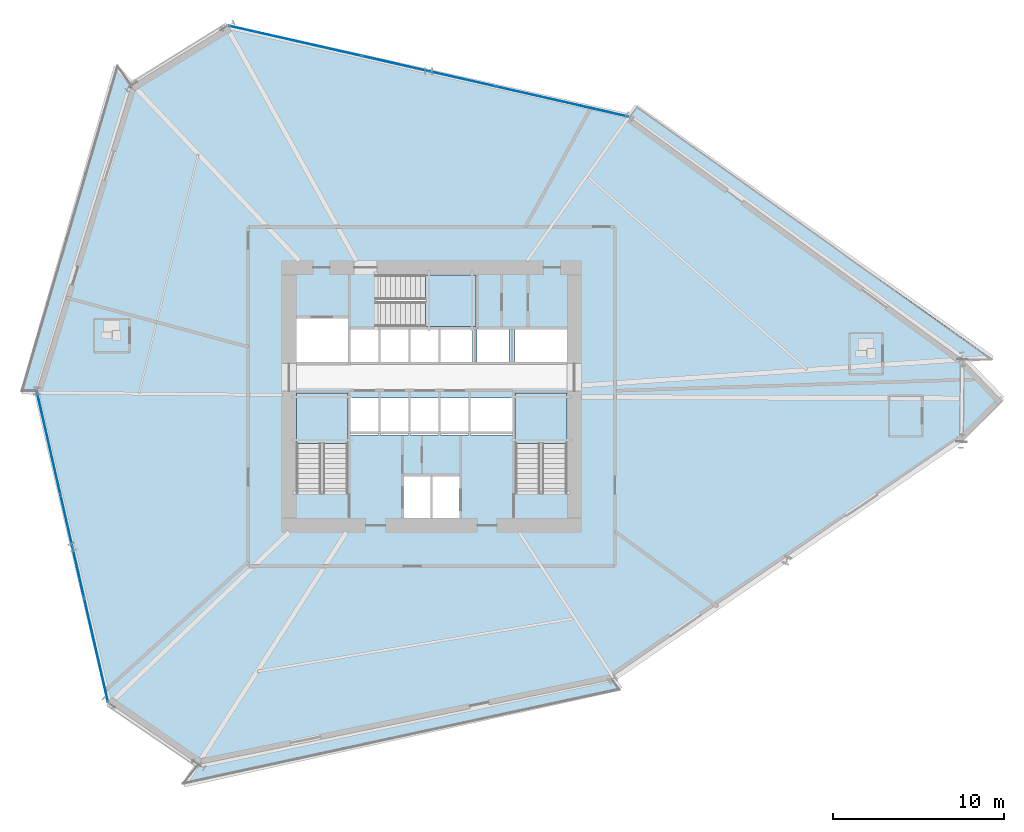
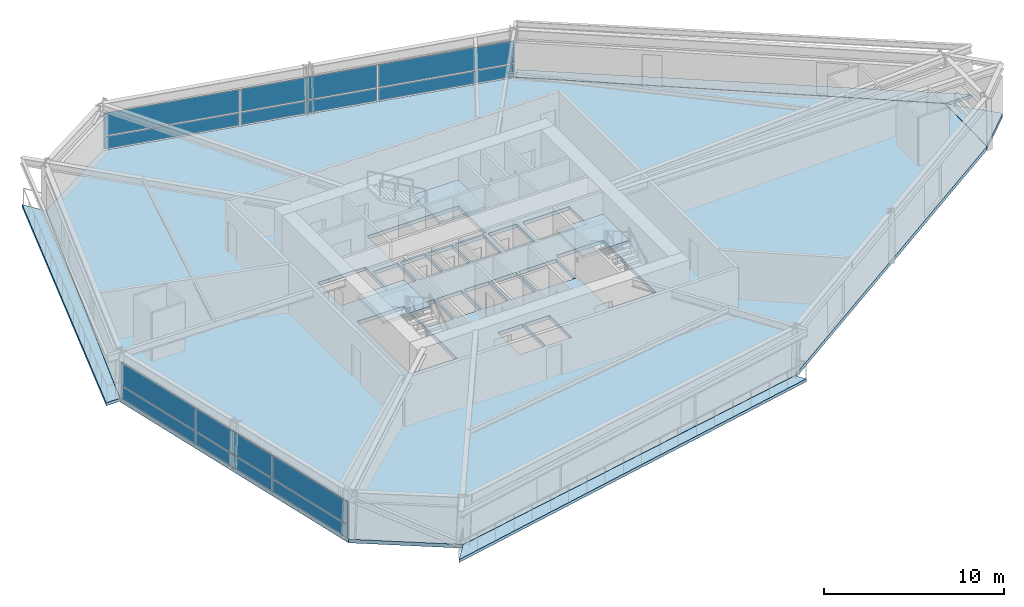
# One storey, part 12 of 23: 12 plates, 8 slabs, 5 elements without a shape of their own.
"""IFC4 building model written with IfcOpenShell, lengths in metres."""

from ifc_helpers import new_model, si_unit, direction, frame, origin, origin_2d, place, context, subcontext, project, spatial, polyline, rectangle, outline, extrude, source, transform, mapped, material, layer, layer_set, type_object, element, aggregate, save


model = new_model("IFC4")

# Units and contexts
model_context = context("Model", 3, precision=1e-05, world=origin(), true_north=direction((0.0, 1.0)))
body_context = subcontext(model_context, "Body", "Model", "MODEL_VIEW")
ifc_project = project(units=[si_unit("LENGTHUNIT", "METRE"), si_unit("AREAUNIT", "SQUARE_METRE"), si_unit("VOLUMEUNIT", "CUBIC_METRE"), si_unit("PLANEANGLEUNIT", "RADIAN"), si_unit("MASSUNIT", "GRAM", prefix="KILO")], contexts=[model_context])

# Site, building, storey
site_placement = place(None, origin())
site = spatial("IfcSite", under=ifc_project, at=site_placement, CompositionType="ELEMENT")
building_placement = place(site_placement, origin())
building = spatial("IfcBuilding", under=site, at=building_placement, Name="Olszyna Solenne Hotel", CompositionType="ELEMENT")
storey_placement = place(building_placement, frame((0.0, 0.0, 32.85009765625)))
storey = spatial("IfcBuildingStorey", under=building, at=storey_placement, Name="L07", CompositionType="ELEMENT", Elevation=32.85009765625)

# Stair, slab
ifc_material_1 = material(Name="Concrete C40/50", Category="concrete")
stair_type = type_object("IfcStairType", Name="STR-C1", PredefinedType="TWO_QUARTER_WINDING_STAIR", material=ifc_material_1)
stair_1_placement = place(storey_placement, origin())
stair_1 = element("IfcStair", 1, at=stair_1_placement, inside=storey, type_object=stair_type, Name="L07 ST1", PredefinedType="TWO_QUARTER_WINDING_STAIR")
ifc_layer_1 = layer(ifc_material_1, 0.18994140625, Name="Concrete C40/50")
ifc_layer_set_1 = layer_set([ifc_layer_1], Name="Concrete C40/50")
slab_type_1 = type_object("IfcSlabType", Name="SL-LN190", PredefinedType="LANDING", material=ifc_layer_set_1)
slab_1_placement = place(storey_placement, frame((0.0, 0.0, 1.574951171875)))
slab_1 = element("IfcSlab", 2, at=slab_1_placement, type_object=slab_type_1, Name="ST1 landing 1", PredefinedType="LANDING", context=body_context, shape_type="SweptSolid", body=[
    extrude(outline(polyline([(33.1201171875, 23.85009765625), (33.1201171875, 26.800048828125), (30.10009765625, 26.800048828125), (30.10009765625, 23.85009765625), (33.1201171875, 23.85009765625)])), origin(), (0.0, 0.0, 1.0), 0.199951171875),
])
aggregate(stair_1, [slab_1])

stair_2_placement = place(storey_placement, origin())
stair_2 = element("IfcStair", 3, at=stair_2_placement, inside=storey, type_object=stair_type, Name="L07 ST2", PredefinedType="TWO_QUARTER_WINDING_STAIR")
slab_2_placement = place(storey_placement, frame((0.0, 0.0, 1.574951171875)))
slab_2 = element("IfcSlab", 4, at=slab_2_placement, type_object=slab_type_1, Name="ST2 landing 1", PredefinedType="LANDING", context=body_context, shape_type="SweptSolid", body=[
    extrude(outline(polyline([(45.89990234375, 23.85009765625), (45.89990234375, 26.800048828125), (42.8798828125, 26.800048828125), (42.8798828125, 23.85009765625), (45.89990234375, 23.85009765625)])), origin(), (0.0, 0.0, 1.0), 0.199951171875),
])
aggregate(stair_2, [slab_2])

stair_3_placement = place(storey_placement, origin())
stair_3 = element("IfcStair", 5, at=stair_3_placement, inside=storey, type_object=stair_type, Name="L07 ST3", PredefinedType="TWO_QUARTER_WINDING_STAIR")
slab_3_placement = place(storey_placement, frame((0.0, 0.0, 1.574951171875)))
slab_3 = element("IfcSlab", 6, at=slab_3_placement, type_object=slab_type_1, Name="ST3 landing 1", PredefinedType="LANDING", context=body_context, shape_type="SweptSolid", body=[
    extrude(outline(polyline([(37.6298828125, 30.679931640625), (40.580078125, 30.679931640625), (40.580078125, 33.699951171875), (37.6298828125, 33.699951171875), (37.6298828125, 30.679931640625)])), origin(), (0.0, 0.0, 1.0), 0.199951171875),
])
aggregate(stair_3, [slab_3])

# Slabs
ifc_material_2 = material(Name="Precast concrete C45/55", Category="concrete")
ifc_layer_2 = layer(ifc_material_2, 0.199951171875, Name="Precast concrete C45/55")
ifc_layer_set_2 = layer_set([ifc_layer_2], Name="Precast concrete C45/55")
slab_type_2 = type_object("IfcSlabType", Name="SL-LOG200", PredefinedType="FLOOR", material=ifc_layer_set_2)
slab_4_placement = place(storey_placement, frame((0.0, 0.0, -0.2001953125)))
element("IfcSlab", 7, at=slab_4_placement, inside=storey, type_object=slab_type_2, Name="Exterior loggia balcony slab SL-L07-LG1", PredefinedType="FLOOR", context=body_context, shape_type="SweptSolid", body=[
    extrude(outline(polyline([(49.564208984375, 42.926513671875), (68.98388671875, 28.771484375), (68.98486328125, 28.7705078125), (68.98583984375, 28.769775390625), (68.995849609375, 28.759033203125), (70.755859375, 28.744384765625), (50.02197265625, 43.497314453125), (49.564208984375, 42.926513671875)])), origin(), (0.0, 0.0, 1.0), 0.2001953125),
])
slab_5_placement = place(storey_placement, frame((0.0, 0.0, -0.2001953125)))
element("IfcSlab", 8, at=slab_5_placement, inside=storey, type_object=slab_type_2, Name="Exterior loggia balcony slab SL-L07-LG2", PredefinedType="FLOOR", context=body_context, shape_type="SweptSolid", body=[
    extrude(outline(polyline([(14.94189453125, 26.933837890625), (14.942138671875, 26.93505859375), (14.9423828125, 26.936767578125), (14.942626953125, 26.938232421875), (20.46435546875, 44.760498046875), (20.46484375, 44.761962890625), (20.465576171875, 44.763427734375), (20.46630859375, 44.7646484375), (20.46728515625, 44.765869140625), (20.46826171875, 44.76708984375), (20.469482421875, 44.76806640625), (20.469970703125, 44.768310546875), (19.632080078125, 45.935546875), (14.06640625, 26.94140625), (14.94189453125, 26.933837890625)])), origin(), (0.0, 0.0, 1.0), 0.2001953125),
])
slab_6_placement = place(storey_placement, frame((0.0, 0.0, -0.2001953125)))
element("IfcSlab", 9, at=slab_6_placement, inside=storey, type_object=slab_type_2, Name="Exterior loggia balcony slab SL-L07-LG3", PredefinedType="FLOOR", context=body_context, shape_type="SweptSolid", body=[
    extrude(outline(polyline([(48.548828125, 10.06982421875), (48.548583984375, 10.069580078125), (48.54736328125, 10.06884765625), (48.5458984375, 10.068359375), (48.544677734375, 10.06787109375), (48.543212890625, 10.0673828125), (24.388671875, 5.106201171875), (24.38720703125, 5.10595703125), (24.3857421875, 5.105712890625), (24.38427734375, 5.10595703125), (24.3828125, 5.106201171875), (24.381103515625, 5.1064453125), (24.3798828125, 5.10693359375), (24.37841796875, 5.107666015625), (24.377197265625, 5.1083984375), (24.376220703125, 5.109130859375), (23.451416015625, 3.9560546875), (48.96337890625, 9.492431640625), (48.548828125, 10.06982421875)])), origin(), (0.0, 0.0, 1.0), 0.2001953125),
])
ifc_material_3 = material(Name="Concrete C50/60", Category="concrete")
ifc_layer_3 = layer(ifc_material_3, 0.25, Name="Concrete C50/60")
ifc_layer_set_3 = layer_set([ifc_layer_3], Name="Concrete C50/60")
slab_type_3 = type_object("IfcSlabType", Name="SL-TW250", PredefinedType="FLOOR", material=ifc_layer_set_3)
slab_7_placement = place(storey_placement, frame((0.0, 0.0, -0.25)))
element("IfcSlab", 10, at=slab_7_placement, inside=storey, type_object=slab_type_3, Name="Floor slab SL-TW250 SL-L07-01", PredefinedType="FLOOR", context=body_context, shape_type="SweptSolid", body=[
    extrude(outline(polyline([(68.91259765625, 23.97509765625), (68.97509765625, 28.75927734375), (49.5546875, 42.914794921875), (26.120361328125, 48.240966796875), (20.478515625, 44.756103515625), (14.95703125, 26.933837890625), (19.127685546875, 8.748046875), (24.3857421875, 5.120849609375), (48.5400390625, 10.08203125), (68.91259765625, 23.97509765625)]), holes=[polyline([(30.10009765625, 20.949951171875), (33.1201171875, 20.949951171875), (33.1201171875, 26.800048828125), (30.10009765625, 26.800048828125), (30.10009765625, 20.949951171875)]), polyline([(42.8798828125, 20.949951171875), (45.89990234375, 20.949951171875), (45.89990234375, 26.800048828125), (42.8798828125, 26.800048828125), (42.8798828125, 20.949951171875)]), polyline([(34.72998046875, 30.679931640625), (40.580078125, 30.679931640625), (40.580078125, 33.699951171875), (34.72998046875, 33.699951171875), (34.72998046875, 30.679931640625)]), polyline([(36.340087890625, 19.5), (37.9599609375, 19.5), (37.9599609375, 21.9599609375), (36.340087890625, 21.9599609375), (36.340087890625, 19.5)]), polyline([(38.0400390625, 19.5), (39.659912109375, 19.5), (39.659912109375, 21.9599609375), (38.0400390625, 21.9599609375), (38.0400390625, 19.5)]), polyline([(30.10009765625, 28.60009765625), (33.1201171875, 28.60009765625), (33.1201171875, 31.159912109375), (30.10009765625, 31.159912109375), (30.10009765625, 28.60009765625)]), polyline([(33.280029296875, 24.360107421875), (34.89990234375, 24.360107421875), (34.89990234375, 26.5), (33.280029296875, 26.5), (33.280029296875, 24.360107421875)]), polyline([(35.030029296875, 24.360107421875), (36.64990234375, 24.360107421875), (36.64990234375, 26.5), (35.030029296875, 26.5), (35.030029296875, 24.360107421875)]), polyline([(36.780029296875, 24.360107421875), (38.39990234375, 24.360107421875), (38.39990234375, 26.5), (36.780029296875, 26.5), (36.780029296875, 24.360107421875)]), polyline([(38.530029296875, 24.360107421875), (40.14990234375, 24.360107421875), (40.14990234375, 26.5), (38.530029296875, 26.5), (38.530029296875, 24.360107421875)]), polyline([(40.280029296875, 24.360107421875), (42.719970703125, 24.360107421875), (42.719970703125, 26.5), (40.280029296875, 26.5), (40.280029296875, 24.360107421875)]), polyline([(33.280029296875, 28.60009765625), (34.89990234375, 28.60009765625), (34.89990234375, 30.550048828125), (33.280029296875, 30.550048828125), (33.280029296875, 28.60009765625)]), polyline([(35.030029296875, 28.60009765625), (36.64990234375, 28.60009765625), (36.64990234375, 30.550048828125), (35.030029296875, 30.550048828125), (35.030029296875, 28.60009765625)]), polyline([(36.780029296875, 28.60009765625), (38.39990234375, 28.60009765625), (38.39990234375, 30.550048828125), (36.780029296875, 30.550048828125), (36.780029296875, 28.60009765625)]), polyline([(38.530029296875, 28.60009765625), (40.389892578125, 28.60009765625), (40.389892578125, 30.550048828125), (38.530029296875, 30.550048828125), (38.530029296875, 28.60009765625)]), polyline([(40.659912109375, 28.60009765625), (42.52001953125, 28.60009765625), (42.52001953125, 30.550048828125), (40.659912109375, 30.550048828125), (40.659912109375, 28.60009765625)]), polyline([(42.8798828125, 28.60009765625), (45.89990234375, 28.60009765625), (45.89990234375, 30.550048828125), (42.8798828125, 30.550048828125), (42.8798828125, 28.60009765625)])]), origin(), (0.0, 0.0, 1.0), 0.25),
])
slab_8_placement = place(storey_placement, frame((0.0, 0.0, -0.25)))
element("IfcSlab", 11, at=slab_8_placement, inside=storey, type_object=slab_type_3, Name="Faceted glass-prism floor slab SL-L07-PR", PredefinedType="FLOOR", context=body_context, shape_type="SweptSolid", body=[
    extrude(outline(polyline([(68.98486328125, 28.7490234375), (68.922607421875, 23.985107421875), (71.293701171875, 26.33642578125), (68.98486328125, 28.7490234375)])), origin(), (0.0, 0.0, 1.0), 0.25),
])

# Curtain wall, plates
ifc_material_4 = material(Name="Anodised bronze aluminium", Category="aluminium")
curtain_wall_type = type_object("IfcCurtainWallType", Name="CW-SYS-2", PredefinedType="NOTDEFINED", material=ifc_material_4)
curtain_wall_1_placement = place(storey_placement, origin())
curtain_wall_1 = element("IfcCurtainWall", 12, at=curtain_wall_1_placement, inside=storey, type_object=curtain_wall_type, Name="Unitised curtain wall CW-SYS-2 CW-L07-01", PredefinedType="NOTDEFINED")
ifc_material_5 = material(Name="Terracotta cladding", Category="masonry")
plate_type_1 = type_object("IfcPlateType", Name="PN-SP1", PredefinedType="CURTAIN_PANEL", material=ifc_material_5)
shared_shape_1 = source(origin(), body_context, "Body", "SweptSolid", [
    extrude(rectangle(XDim=6.106689453125, YDim=0.035888671875, at=origin_2d()), origin(), (0.0, 0.0, 1.0), 0.83740234375),
])
plate_1_placement = place(storey_placement, frame((15.65625, 23.884521484375, 0.074951171875), z_axis=(0.0, 0.0, 1.0), x_axis=(0.22353507317, -0.97469588645, 0.0)))
plate_1 = element("IfcPlate", 13, at=plate_1_placement, type_object=plate_type_1, Name="Curtain-wall panel PN-SP1 CP-L07-01-01", PredefinedType="CURTAIN_PANEL", context=body_context, shape_type="MappedRepresentation", body=[
    mapped(shared_shape_1, transform((0.0, 0.0, 0.0), x_axis=(1.0, 0.0, 0.0), y_axis=(0.0, 1.0, 0.0), z_axis=(0.0, 0.0, 1.0), scale=1.0)),
])
plate_2_placement = place(storey_placement, frame((18.428466796875, 11.79736328125, 0.074951171875), z_axis=(0.0, 0.0, 1.0), x_axis=(0.22353507317, -0.97469588645, 0.0)))
plate_2 = element("IfcPlate", 14, at=plate_2_placement, type_object=plate_type_1, Name="Curtain-wall panel PN-SP1 CP-L07-01-05", PredefinedType="CURTAIN_PANEL", context=body_context, shape_type="MappedRepresentation", body=[
    mapped(shared_shape_1, transform((0.0, 0.0, 0.0), x_axis=(1.0, 0.0, 0.0), y_axis=(0.0, 1.0, 0.0), z_axis=(0.0, 0.0, 1.0), scale=1.0)),
])
ifc_material_6 = material(Name="Low-E triple glazing", Category="glass")
plate_type_2 = type_object("IfcPlateType", Name="PN-GL1", PredefinedType="CURTAIN_PANEL", material=ifc_material_6)
shared_shape_2 = source(origin(), body_context, "Body", "SweptSolid", [
    extrude(rectangle(XDim=6.106689453125, YDim=0.035888671875, at=origin_2d()), origin(), (0.0, 0.0, 1.0), 1.529541015625),
])
plate_3_placement = place(storey_placement, frame((15.65625, 23.884521484375, 0.9873046875), z_axis=(0.0, 0.0, 1.0), x_axis=(0.22353507317, -0.97469588645, 0.0)))
plate_3 = element("IfcPlate", 15, at=plate_3_placement, type_object=plate_type_2, Name="Curtain-wall panel PN-GL1 CP-L07-01-02", PredefinedType="CURTAIN_PANEL", context=body_context, shape_type="MappedRepresentation", body=[
    mapped(shared_shape_2, transform((0.0, 0.0, 0.0), x_axis=(1.0, 0.0, 0.0), y_axis=(0.0, 1.0, 0.0), z_axis=(0.0, 0.0, 1.0), scale=1.0)),
])
plate_4_placement = place(storey_placement, frame((18.428466796875, 11.79736328125, 0.9873046875), z_axis=(0.0, 0.0, 1.0), x_axis=(0.22353507317, -0.97469588645, 0.0)))
plate_4 = element("IfcPlate", 16, at=plate_4_placement, type_object=plate_type_2, Name="Curtain-wall panel PN-GL1 CP-L07-01-06", PredefinedType="CURTAIN_PANEL", context=body_context, shape_type="MappedRepresentation", body=[
    mapped(shared_shape_2, transform((0.0, 0.0, 0.0), x_axis=(1.0, 0.0, 0.0), y_axis=(0.0, 1.0, 0.0), z_axis=(0.0, 0.0, 1.0), scale=1.0)),
])
shared_shape_3 = source(origin(), body_context, "Body", "SweptSolid", [
    extrude(rectangle(XDim=6.144287109375, YDim=0.035888671875, at=origin_2d()), origin(), (0.0, 0.0, 1.0), 0.83740234375),
])
plate_5_placement = place(storey_placement, frame((17.042236328125, 17.8408203125, 0.074951171875), z_axis=(0.0, 0.0, 1.0), x_axis=(0.22353507317, -0.97469588645, 0.0)))
plate_5 = element("IfcPlate", 17, at=plate_5_placement, type_object=plate_type_1, Name="Curtain-wall panel PN-SP1 CP-L07-01-03", PredefinedType="CURTAIN_PANEL", context=body_context, shape_type="MappedRepresentation", body=[
    mapped(shared_shape_3, transform((0.0, 0.0, 0.0), x_axis=(1.0, 0.0, 0.0), y_axis=(0.0, 1.0, 0.0), z_axis=(0.0, 0.0, 1.0), scale=1.0)),
])
shared_shape_4 = source(origin(), body_context, "Body", "SweptSolid", [
    extrude(rectangle(XDim=6.144287109375, YDim=0.035888671875, at=origin_2d()), origin(), (0.0, 0.0, 1.0), 1.529541015625),
])
plate_6_placement = place(storey_placement, frame((17.042236328125, 17.8408203125, 0.9873046875), z_axis=(0.0, 0.0, 1.0), x_axis=(0.22353507317, -0.97469588645, 0.0)))
plate_6 = element("IfcPlate", 18, at=plate_6_placement, type_object=plate_type_2, Name="Curtain-wall panel PN-GL1 CP-L07-01-04", PredefinedType="CURTAIN_PANEL", context=body_context, shape_type="MappedRepresentation", body=[
    mapped(shared_shape_4, transform((0.0, 0.0, 0.0), x_axis=(1.0, 0.0, 0.0), y_axis=(0.0, 1.0, 0.0), z_axis=(0.0, 0.0, 1.0), scale=1.0)),
])
aggregate(curtain_wall_1, [plate_1, plate_3, plate_5, plate_6, plate_2, plate_4])

curtain_wall_2_placement = place(storey_placement, origin())
curtain_wall_2 = element("IfcCurtainWall", 19, at=curtain_wall_2_placement, inside=storey, type_object=curtain_wall_type, Name="Unitised curtain wall CW-SYS-2 CW-L07-02", PredefinedType="NOTDEFINED")
shared_shape_5 = source(origin(), body_context, "Body", "SweptSolid", [
    extrude(rectangle(XDim=7.898193359375, YDim=0.035888671875, at=origin_2d()), origin(), (0.0, 0.0, 1.0), 0.83740234375),
])
plate_7_placement = place(storey_placement, frame((30.04443359375, 47.34912109375, 0.074951171875), z_axis=(0.0, 0.0, 1.0), x_axis=(0.975132651414, -0.221622002849, 0.0)))
plate_7 = element("IfcPlate", 20, at=plate_7_placement, type_object=plate_type_1, Name="Curtain-wall panel PN-SP1 CP-L07-02-01", PredefinedType="CURTAIN_PANEL", context=body_context, shape_type="MappedRepresentation", body=[
    mapped(shared_shape_5, transform((0.0, 0.0, 0.0), x_axis=(1.0, 0.0, 0.0), y_axis=(0.0, 1.0, 0.0), z_axis=(0.0, 0.0, 1.0), scale=1.0)),
])
plate_8_placement = place(storey_placement, frame((45.630615234375, 43.806640625, 0.074951171875), z_axis=(0.0, 0.0, 1.0), x_axis=(0.975132651414, -0.221622002849, 0.0)))
plate_8 = element("IfcPlate", 21, at=plate_8_placement, type_object=plate_type_1, Name="Curtain-wall panel PN-SP1 CP-L07-02-05", PredefinedType="CURTAIN_PANEL", context=body_context, shape_type="MappedRepresentation", body=[
    mapped(shared_shape_5, transform((0.0, 0.0, 0.0), x_axis=(1.0, 0.0, 0.0), y_axis=(0.0, 1.0, 0.0), z_axis=(0.0, 0.0, 1.0), scale=1.0)),
])
shared_shape_6 = source(origin(), body_context, "Body", "SweptSolid", [
    extrude(rectangle(XDim=7.898193359375, YDim=0.035888671875, at=origin_2d()), origin(), (0.0, 0.0, 1.0), 1.529541015625),
])
plate_9_placement = place(storey_placement, frame((30.04443359375, 47.34912109375, 0.9873046875), z_axis=(0.0, 0.0, 1.0), x_axis=(0.975132651414, -0.221622002849, 0.0)))
plate_9 = element("IfcPlate", 22, at=plate_9_placement, type_object=plate_type_2, Name="Curtain-wall panel PN-GL1 CP-L07-02-02", PredefinedType="CURTAIN_PANEL", context=body_context, shape_type="MappedRepresentation", body=[
    mapped(shared_shape_6, transform((0.0, 0.0, 0.0), x_axis=(1.0, 0.0, 0.0), y_axis=(0.0, 1.0, 0.0), z_axis=(0.0, 0.0, 1.0), scale=1.0)),
])
plate_10_placement = place(storey_placement, frame((45.630615234375, 43.806640625, 0.9873046875), z_axis=(0.0, 0.0, 1.0), x_axis=(0.975132651414, -0.221622002849, 0.0)))
plate_10 = element("IfcPlate", 23, at=plate_10_placement, type_object=plate_type_2, Name="Curtain-wall panel PN-GL1 CP-L07-02-06", PredefinedType="CURTAIN_PANEL", context=body_context, shape_type="MappedRepresentation", body=[
    mapped(shared_shape_6, transform((0.0, 0.0, 0.0), x_axis=(1.0, 0.0, 0.0), y_axis=(0.0, 1.0, 0.0), z_axis=(0.0, 0.0, 1.0), scale=1.0)),
])
shared_shape_7 = source(origin(), body_context, "Body", "SweptSolid", [
    extrude(rectangle(XDim=7.935546875, YDim=0.035888671875, at=origin_2d()), origin(), (0.0, 0.0, 1.0), 0.83740234375),
])
plate_11_placement = place(storey_placement, frame((37.837646484375, 45.577880859375, 0.074951171875), z_axis=(0.0, 0.0, 1.0), x_axis=(0.975132651414, -0.221622002849, 0.0)))
plate_11 = element("IfcPlate", 24, at=plate_11_placement, type_object=plate_type_1, Name="Curtain-wall panel PN-SP1 CP-L07-02-03", PredefinedType="CURTAIN_PANEL", context=body_context, shape_type="MappedRepresentation", body=[
    mapped(shared_shape_7, transform((0.0, 0.0, 0.0), x_axis=(1.0, 0.0, 0.0), y_axis=(0.0, 1.0, 0.0), z_axis=(0.0, 0.0, 1.0), scale=1.0)),
])
shared_shape_8 = source(origin(), body_context, "Body", "SweptSolid", [
    extrude(rectangle(XDim=7.935546875, YDim=0.035888671875, at=origin_2d()), origin(), (0.0, 0.0, 1.0), 1.529541015625),
])
plate_12_placement = place(storey_placement, frame((37.837646484375, 45.577880859375, 0.9873046875), z_axis=(0.0, 0.0, 1.0), x_axis=(0.975132651414, -0.221622002849, 0.0)))
plate_12 = element("IfcPlate", 25, at=plate_12_placement, type_object=plate_type_2, Name="Curtain-wall panel PN-GL1 CP-L07-02-04", PredefinedType="CURTAIN_PANEL", context=body_context, shape_type="MappedRepresentation", body=[
    mapped(shared_shape_8, transform((0.0, 0.0, 0.0), x_axis=(1.0, 0.0, 0.0), y_axis=(0.0, 1.0, 0.0), z_axis=(0.0, 0.0, 1.0), scale=1.0)),
])
aggregate(curtain_wall_2, [plate_7, plate_9, plate_11, plate_12, plate_8, plate_10])

save(model, "model.ifc")
